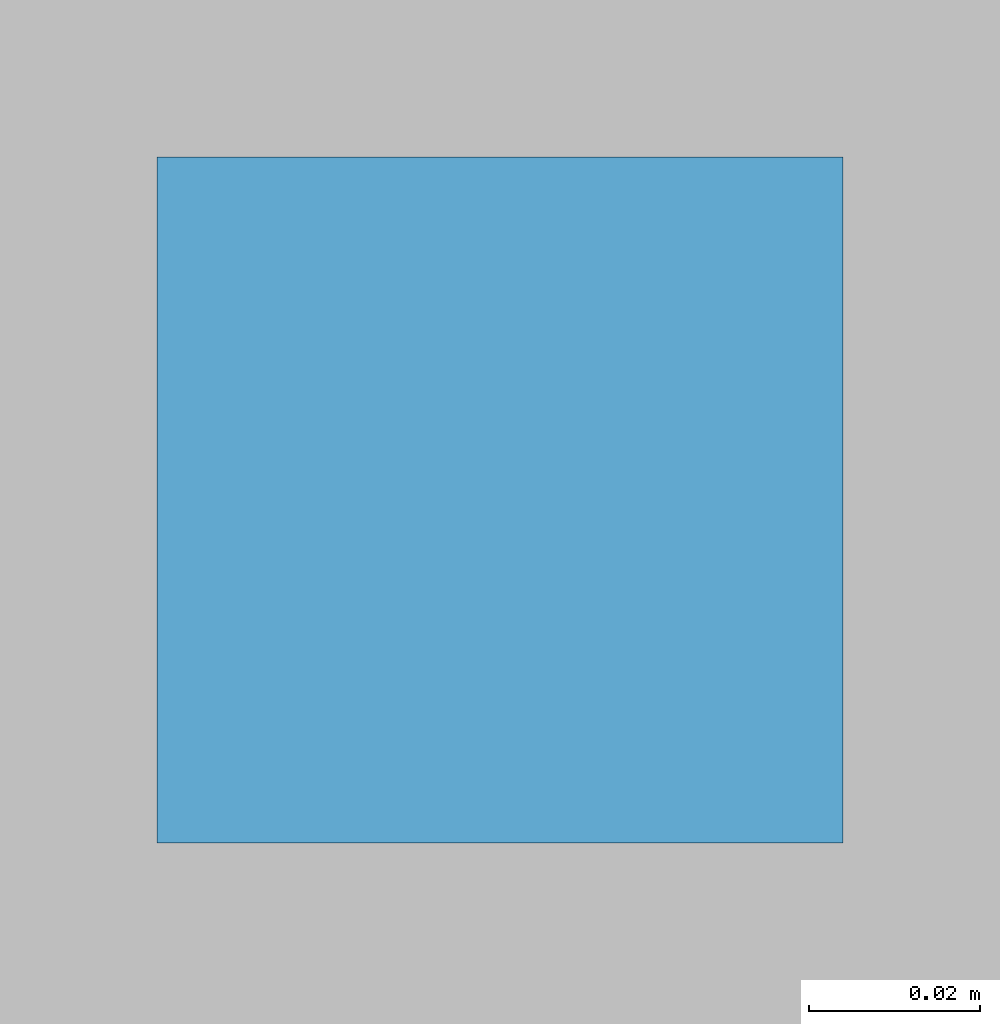
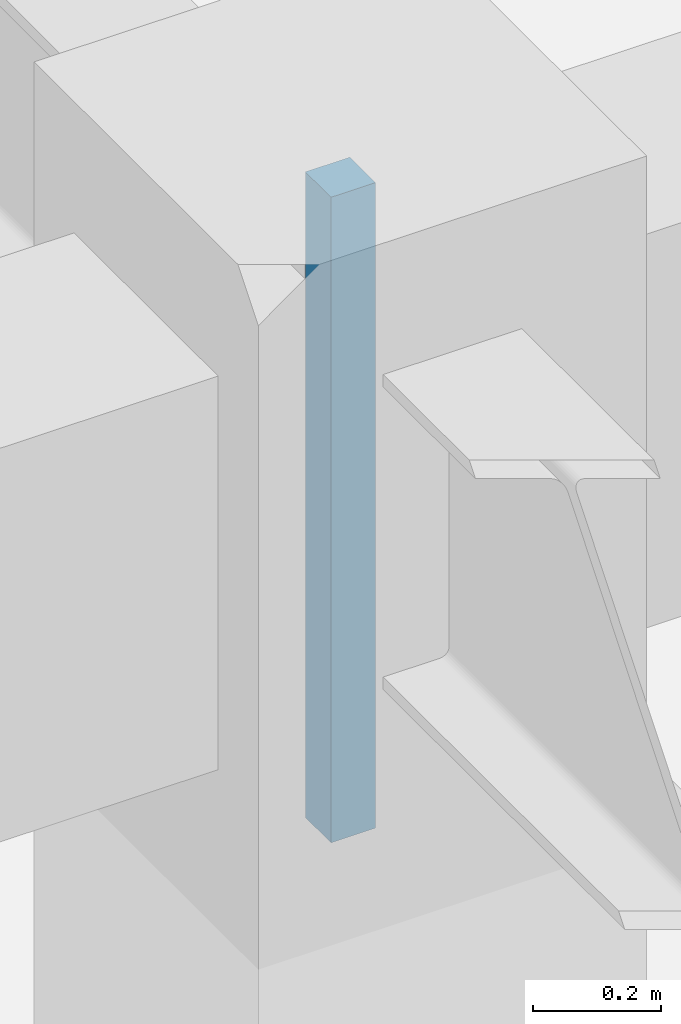
# One storey, part 119 of 147: 1 discrete accessory.
"""IFC4 building model written with IfcOpenShell, lengths in metres."""

from ifc_helpers import new_model, si_unit, direction, frame, origin, origin_2d, place, context, subcontext, project, spatial, rectangle, extrude, material, layer, layer_set, type_object, element, save


model = new_model("IFC4")

# Units and contexts
model_context = context("Model", 3, precision=1e-05, world=origin(), true_north=direction((0.0, 1.0)))
body_context = subcontext(model_context, "Body", "Model", "MODEL_VIEW")
ifc_project = project(units=[si_unit("LENGTHUNIT", "METRE"), si_unit("AREAUNIT", "SQUARE_METRE"), si_unit("VOLUMEUNIT", "CUBIC_METRE"), si_unit("PLANEANGLEUNIT", "RADIAN"), si_unit("MASSUNIT", "GRAM", prefix="KILO")], contexts=[model_context])

# Site, building, storey
site_placement = place(None, origin())
site = spatial("IfcSite", under=ifc_project, at=site_placement, CompositionType="ELEMENT")
building_placement = place(site_placement, origin())
building = spatial("IfcBuilding", under=site, at=building_placement, Name="Varnabhumi Central Station", CompositionType="ELEMENT")
storey_placement = place(building_placement, origin())
storey = spatial("IfcBuildingStorey", under=building, at=storey_placement, Name="L00", CompositionType="ELEMENT", Elevation=0.0)

# Discrete accessory
ifc_material = material(Name="Structural steel E350", Category="steel")
ifc_layer = layer(ifc_material, 0.159912109375, Name="Structural steel E350", Category="steel")
ifc_layer_set = layer_set([ifc_layer], Name="Structural steel E350")
discrete_accessory_type = type_object("IfcDiscreteAccessoryType", Name="ACC-SHADE-BRKT", PredefinedType="BRACKET", material=ifc_layer_set)
discrete_accessory_placement = place(storey_placement, frame((8.0, 89.0, 3.43994140625), z_axis=(0.0, 0.0, 1.0), x_axis=(1.0, 0.0, 0.0)))
element("IfcDiscreteAccessory", 1, at=discrete_accessory_placement, inside=storey, type_object=discrete_accessory_type, Name="Travel Convenience Shop 04 Ceiling Hanger", PredefinedType="BRACKET", context=body_context, shape_type="SweptSolid", body=[
    extrude(rectangle(XDim=0.080078125, YDim=0.080078125, at=origin_2d()), origin(), (0.0, 0.0, 1.0), 1.22998046875),
])

save(model, "model.ifc")
